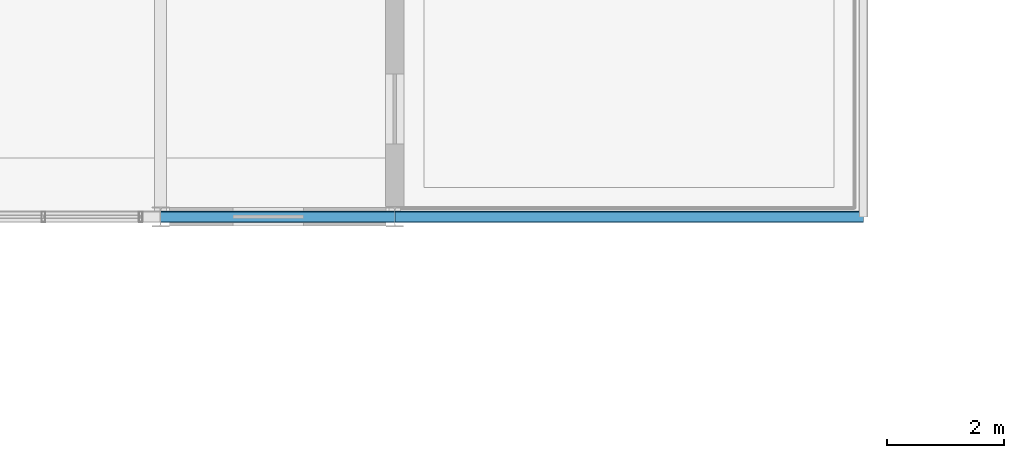
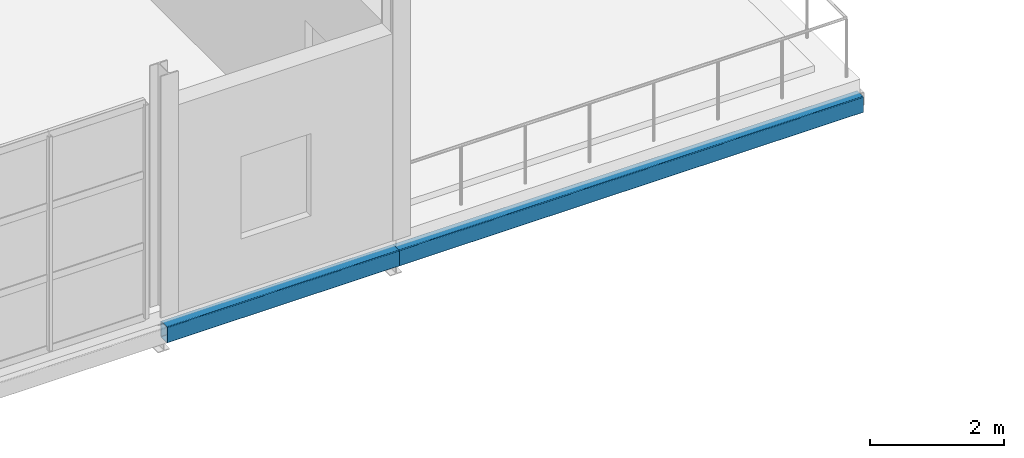
# One storey, part 117 of 153: 2 beams.
"""IFC4 building model written with IfcOpenShell, lengths in metres."""

from ifc_helpers import new_model, si_unit, derived_unit, direction, frame, origin, origin_2d, place, context, subcontext, project, spatial, hollow_rectangle, extrude, material, material_profile, profile_set, type_object, element, save


model = new_model("IFC4")

# Units and contexts
model_context = context("Model", 3, precision=1e-05, world=origin(), true_north=direction((0.0, 1.0)))
body_context = subcontext(model_context, "Body", "Model", "MODEL_VIEW")
ifc_project = project(units=[si_unit("LENGTHUNIT", "METRE"), si_unit("AREAUNIT", "SQUARE_METRE"), si_unit("VOLUMEUNIT", "CUBIC_METRE"), si_unit("PLANEANGLEUNIT", "RADIAN"), si_unit("MASSUNIT", "GRAM", prefix="KILO"), derived_unit("THERMALTRANSMITTANCEUNIT", [(si_unit("POWERUNIT", "WATT"), 1), (si_unit("LENGTHUNIT", "METRE"), -2), (si_unit("THERMODYNAMICTEMPERATUREUNIT", "KELVIN"), -1)])], contexts=[model_context])

# Site, building, storey
site_placement = place(None, origin())
site = spatial("IfcSite", under=ifc_project, at=site_placement, CompositionType="ELEMENT")
building_placement = place(site_placement, origin())
building = spatial("IfcBuilding", under=site, at=building_placement, Name="Keldorne Ridge Multi-Sports Centre", CompositionType="ELEMENT")
storey_placement = place(building_placement, frame((0.0, 0.0, 9.60009765625)))
storey = spatial("IfcBuildingStorey", under=building, at=storey_placement, Name="L02", CompositionType="ELEMENT", Elevation=9.60009765625)

# Beams
ifc_material = material(Name="Steel S355", Category="steel")
ifc_material_profile = material_profile(ifc_material, hollow_rectangle(XDim=0.199951171875, YDim=0.300048828125, WallThickness=0.012451171875, InnerFilletRadius=0.012451171875, OuterFilletRadius=0.02490234375, at=origin_2d()), Name="RHS 300x200x12.5")
ifc_profile_set = profile_set([ifc_material_profile], Name="Steel S355")
beam_type = type_object("IfcBeamType", Name="BM-SP-01", PredefinedType="SPANDREL", material=ifc_profile_set)
beam_1_placement = place(storey_placement, frame((148.0, 66.0, -0.41015625), z_axis=(1.0, 0.0, 0.0), x_axis=(0.0, 1.0, 0.0)))
element("IfcBeam", 1, at=beam_1_placement, inside=storey, type_object=beam_type, Name="L02 primary beam 10.66", PredefinedType="SPANDREL", context=body_context, shape_type="SweptSolid", body=[
    extrude(hollow_rectangle(XDim=0.199951171875, YDim=0.300048828125, WallThickness=0.012451171875, InnerFilletRadius=0.012451171875, OuterFilletRadius=0.02490234375, at=origin_2d()), origin(), (0.0, 0.0, 1.0), 4.0),
])
beam_2_placement = place(storey_placement, frame((152.0, 66.0, -0.41015625), z_axis=(1.0, 0.0, 0.0), x_axis=(0.0, 1.0, 0.0)))
element("IfcBeam", 2, at=beam_2_placement, inside=storey, type_object=beam_type, Name="L02 primary beam 11.66", PredefinedType="SPANDREL", context=body_context, shape_type="SweptSolid", body=[
    extrude(hollow_rectangle(XDim=0.199951171875, YDim=0.300048828125, WallThickness=0.012451171875, InnerFilletRadius=0.012451171875, OuterFilletRadius=0.02490234375, at=origin_2d()), origin(), (0.0, 0.0, 1.0), 8.0),
])

save(model, "model.ifc")
